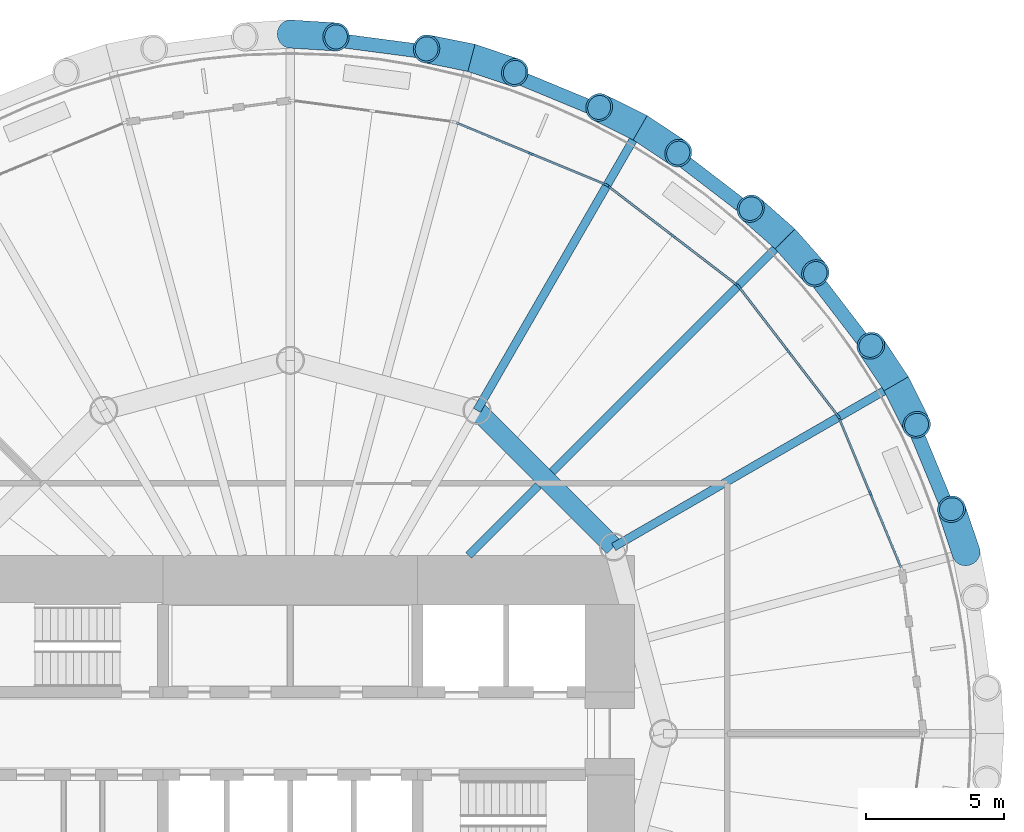
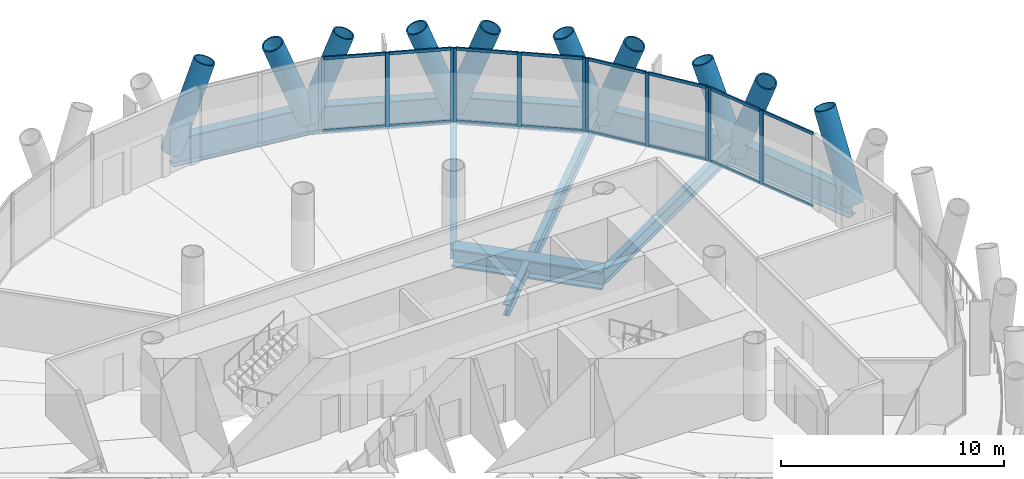
# One storey, part 7 of 15: 36 members, 10 beams, 4 elements without a shape of their own.
"""IFC4 building model written with IfcOpenShell, lengths in metres."""

import ifcopenshell
import ifcopenshell.guid

model = None  # the IFC model being written
_history = None  # IfcOwnerHistory: only IFC2X3 demands one
_inside = {}  # id of a spatial element -> (the spatial element, [elements in it])
_under = {}  # id of a project, library or spatial element -> (it, [spatial elements below it])
_declared = {}  # id of a project -> (the project, [libraries it declares])
_typed = {}  # id of a type object -> (the type object, [elements of that type])
_made_of = {}  # id of a material, layer set ... -> (it, [elements and type objects made of it])


def new_model(schema):
    """Start an empty IFC model of exactly this schema.

    Asked for "IFC4X3", IfcOpenShell would pick the latest addendum, in which some entities
    have other attributes; the version numbers below select the first issue.
    IFC2X3 requires an IfcOwnerHistory on every rooted entity: one is made here for all.
    """
    global model, _history
    if schema == "IFC4X3":
        model = ifcopenshell.file(schema_version=(4, 3, 0, 0))
    else:
        model = ifcopenshell.file(schema=schema)
    _inside.clear()
    _under.clear()
    _declared.clear()
    _typed.clear()
    _made_of.clear()
    _history = None
    if model.schema == "IFC2X3":
        org = make("IfcOrganization", Name="unknown")
        user = make(
            "IfcPersonAndOrganization",
            ThePerson=make("IfcPerson", FamilyName="unknown"),
            TheOrganization=org,
        )
        app = make(
            "IfcApplication",
            ApplicationDeveloper=org,
            Version="unknown",
            ApplicationFullName="unknown",
            ApplicationIdentifier="unknown",
        )
        _history = make(
            "IfcOwnerHistory",
            OwningUser=user,
            OwningApplication=app,
            ChangeAction="ADDED",
            CreationDate=0,
        )
    return model


def make(cls, **values):
    """One entity of the class cls with the attributes given. An attribute that is None is left unset."""
    return model.create_entity(
        cls, **{name: value for name, value in values.items() if value is not None}
    )


def rooted(cls, **values):
    """An entity with a GlobalId (a new one), such as an element, a storey or a relation."""
    return make(cls, GlobalId=ifcopenshell.guid.new(), OwnerHistory=_history, **values)


def si_unit(unit_type, name, prefix=None):
    """IfcSIUnit, for example si_unit("LENGTHUNIT", "METRE", prefix="MILLI")."""
    return make("IfcSIUnit", UnitType=unit_type, Prefix=prefix, Name=name)


def assignment(units):
    """IfcUnitAssignment: the units of a project."""
    return None if units is None else make("IfcUnitAssignment", Units=units)


def point(xyz):
    """IfcCartesianPoint."""
    return None if xyz is None else make("IfcCartesianPoint", Coordinates=xyz)


def direction(xyz):
    """IfcDirection."""
    return None if xyz is None else make("IfcDirection", DirectionRatios=xyz)


def frame(location, z_axis=None, x_axis=None):
    """IfcAxis2Placement3D, a coordinate frame: its origin and axes. An axis left out is left unset."""
    return make(
        "IfcAxis2Placement3D",
        Location=point(location),
        Axis=direction(z_axis),
        RefDirection=direction(x_axis),
    )


def frame_2d(location, x_axis=None):
    """IfcAxis2Placement2D, a coordinate frame in the plane: its origin and x axis."""
    return make(
        "IfcAxis2Placement2D", Location=point(location), RefDirection=direction(x_axis)
    )


def origin():
    """The frame at (0, 0, 0) with its axes left unset."""
    return frame((0.0, 0.0, 0.0))


def origin_2d():
    """The frame at (0, 0) in the plane with its x axis left unset."""
    return frame_2d((0.0, 0.0))


def place(relative_to, where):
    """IfcLocalPlacement: puts the frame where relative to a parent placement (None: the world)."""
    return make(
        "IfcLocalPlacement", PlacementRelTo=relative_to, RelativePlacement=where
    )


def context(
    kind, dimensions, precision=None, world=None, true_north=None, identifier=None
):
    """IfcGeometricRepresentationContext, for example the 3D "Model" context."""
    return make(
        "IfcGeometricRepresentationContext",
        ContextIdentifier=identifier,
        ContextType=kind,
        CoordinateSpaceDimension=dimensions,
        Precision=precision,
        WorldCoordinateSystem=world,
        TrueNorth=true_north,
    )


def subcontext(parent, identifier, kind, view, scale=None):
    """IfcGeometricRepresentationSubContext, for example "Body" below "Model"."""
    return make(
        "IfcGeometricRepresentationSubContext",
        ContextIdentifier=identifier,
        ContextType=kind,
        ParentContext=parent,
        TargetScale=scale,
        TargetView=view,
    )


def project(units=None, contexts=None):
    """IfcProject with its units and contexts."""
    return rooted(
        "IfcProject",
        Name="project",
        RepresentationContexts=contexts,
        UnitsInContext=assignment(units),
    )


def spatial(cls, under=None, at=None, **own):
    """A site, building, storey or space (cls), placed at a placement, below another one or the project."""
    s = rooted(cls, ObjectPlacement=at, **own)
    if under is not None:
        _under.setdefault(under.id(), (under, []))[1].append(s)
    return s


def profile(cls, at=None, kind="AREA", **sizes):
    """A parametric profile (cls). Its sizes go by their IFC names, for example OverallWidth=200.0."""
    return make(cls, ProfileType=kind, Position=at, **sizes)


def rectangle(**sizes):
    """IfcRectangleProfileDef."""
    return profile("IfcRectangleProfileDef", **sizes)


def hollow_circle(**sizes):
    """IfcCircleHollowProfileDef."""
    return profile("IfcCircleHollowProfileDef", **sizes)


def i_section(**sizes):
    """IfcIShapeProfileDef."""
    return profile("IfcIShapeProfileDef", **sizes)


def extrude(swept, where, along, depth):
    """IfcExtrudedAreaSolid: the profile swept, set in the frame where, extruded along a direction by depth."""
    return make(
        "IfcExtrudedAreaSolid",
        SweptArea=swept,
        Position=where,
        ExtrudedDirection=direction(along),
        Depth=depth,
    )


def shape(context_of_items, identifier, shape_type, items):
    """IfcShapeRepresentation: the items that make up one representation, for example the "Body"."""
    return make(
        "IfcShapeRepresentation",
        ContextOfItems=context_of_items,
        RepresentationIdentifier=identifier,
        RepresentationType=shape_type,
        Items=items,
    )


def material(Name=None, Category=None):
    """IfcMaterial."""
    return make("IfcMaterial", Name=Name, Category=Category)


def material_profile(
    of_material, cross_section, Name=None, Category=None, Priority=None
):
    """IfcMaterialProfile: a cross section and its material."""
    return make(
        "IfcMaterialProfile",
        Name=Name,
        Material=of_material,
        Profile=cross_section,
        Priority=Priority,
        Category=Category,
    )


def profile_set(profiles, Name=None, composite=None):
    """IfcMaterialProfileSet."""
    return make(
        "IfcMaterialProfileSet",
        Name=Name,
        MaterialProfiles=profiles,
        CompositeProfile=composite,
    )


def made_of(thing, what):
    """Note that an element or type object is made of a material, layer set ...; save() writes the relation."""
    if what is not None:
        _made_of.setdefault(what.id(), (what, []))[1].append(thing)
    return thing


def type_object(cls, material=None, **own):
    """A type object (cls), such as IfcWallType, which elements share."""
    return made_of(rooted(cls, **own), material)


def element(
    cls,
    number,
    at=None,
    inside=None,
    cuts=None,
    type_object=None,
    material=None,
    context=None,
    identifier="Body",
    shape_type=None,
    held_by="IfcProductDefinitionShape",
    body=None,
    shapes=None,
    **own,
):
    """One element of the class cls, such as IfcWall. Its Tag is "e" and its number.

    at: its placement. inside: the storey or other place that contains it. cuts: it is an
    opening in that element (IfcRelVoidsElement). A single representation is given by context,
    identifier, shape_type and body (its items); several are given by shapes. held_by: the class
    of the entity that holds the representations. save() writes the other relations.
    """
    e = rooted(cls, Tag="e%d" % number, ObjectPlacement=at, **own)
    if body is not None:
        shapes = [shape(context, identifier, shape_type, body)]
    if shapes is not None:
        e.Representation = make(held_by, Representations=shapes)
    if inside is not None:
        _inside.setdefault(inside.id(), (inside, []))[1].append(e)
    if cuts is not None:
        rooted(
            "IfcRelVoidsElement", RelatingBuildingElement=cuts, RelatedOpeningElement=e
        )
    if type_object is not None:
        _typed.setdefault(type_object.id(), (type_object, []))[1].append(e)
    return made_of(e, material)


def aggregate(whole, parts):
    """IfcRelAggregates: a whole, such as a stair, and the parts it consists of."""
    return rooted("IfcRelAggregates", RelatingObject=whole, RelatedObjects=parts)


def save(model, path):
    """Write the relations noted so far, then the file.

    IfcRelAggregates (storeys below a building ...), IfcRelContainedInSpatialStructure (elements
    in a storey), IfcRelDefinesByType, IfcRelAssociatesMaterial and IfcRelDeclares: one each for
    every whole, place, type object, material and project.
    """
    for whole, parts in _under.values():
        aggregate(whole, parts)
    for where, things in _inside.values():
        rooted(
            "IfcRelContainedInSpatialStructure",
            RelatedElements=things,
            RelatingStructure=where,
        )
    for kind, things in _typed.values():
        rooted("IfcRelDefinesByType", RelatedObjects=things, RelatingType=kind)
    for what, things in _made_of.values():
        rooted("IfcRelAssociatesMaterial", RelatedObjects=things, RelatingMaterial=what)
    for by, libraries in _declared.values():
        rooted("IfcRelDeclares", RelatingContext=by, RelatedDefinitions=libraries)
    model.write(path)


model = new_model("IFC4")

# Units and contexts
model_context = context("Model", 3, precision=1e-05, world=origin(), true_north=direction((0.0, 1.0)))
body_context = subcontext(model_context, "Body", "Model", "MODEL_VIEW")
ifc_project = project(units=[si_unit("LENGTHUNIT", "METRE"), si_unit("AREAUNIT", "SQUARE_METRE"), si_unit("VOLUMEUNIT", "CUBIC_METRE"), si_unit("PLANEANGLEUNIT", "RADIAN"), si_unit("MASSUNIT", "GRAM", prefix="KILO")], contexts=[model_context])

# Site, building, storey
site_placement = place(None, origin())
site = spatial("IfcSite", under=ifc_project, at=site_placement, CompositionType="ELEMENT")
building_placement = place(site_placement, origin())
building = spatial("IfcBuilding", under=site, at=building_placement, Name="Qaws Media Tower", CompositionType="ELEMENT")
storey_placement = place(building_placement, frame((0.0, 0.0, 110.0)))
storey = spatial("IfcBuildingStorey", under=building, at=storey_placement, Name="L24", CompositionType="ELEMENT", Elevation=110.0)

# Curtain wall, members
ifc_material_1 = material(Name="Aluminium and clear glass", Category="aluminium")
curtain_wall_type = type_object("IfcCurtainWallType", Name="Unitised curtain wall CW-B", PredefinedType="NOTDEFINED", material=ifc_material_1)
curtain_wall_1_placement = place(storey_placement, origin())
curtain_wall_1 = element("IfcCurtainWall", 1, at=curtain_wall_1_placement, inside=storey, type_object=curtain_wall_type, Name="CWB curtain wall L24-02", PredefinedType="NOTDEFINED")
ifc_material_2 = material(Name="Aluminium mullion", Category="aluminium")
ifc_material_profile_1 = material_profile(ifc_material_2, rectangle(XDim=0.080078125, YDim=0.199951171875, at=origin_2d()), Name="80x200")
ifc_profile_set_1 = profile_set([ifc_material_profile_1], Name="Aluminium mullion")
member_type_1 = type_object("IfcMemberType", Name="Curtain wall mullion 80x200", PredefinedType="MULLION", material=ifc_profile_set_1)
member_1_placement = place(storey_placement, frame((80.975830078125, 58.6884765625, 0.0), z_axis=(0.0, 0.0, 1.0), x_axis=(-0.923879575705, -0.382683328086, 0.0)))
member_1 = element("IfcMember", 2, at=member_1_placement, type_object=member_type_1, Name="CWB mullion 2", PredefinedType="MULLION", context=body_context, shape_type="SweptSolid", body=[
    extrude(rectangle(XDim=0.080078125, YDim=0.199951171875, at=origin_2d()), origin(), (0.0, 0.0, 1.0), 4.0400390625),
])
member_2_placement = place(storey_placement, frame((79.84716796875, 61.4130859375, 0.0), z_axis=(0.0, 0.0, 1.0), x_axis=(-0.923879575705, -0.382683328086, 0.0)))
member_2 = element("IfcMember", 3, at=member_2_placement, type_object=member_type_1, Name="CWB mullion 3", PredefinedType="MULLION", context=body_context, shape_type="SweptSolid", body=[
    extrude(rectangle(XDim=0.080078125, YDim=0.199951171875, at=origin_2d()), origin(), (0.0, 0.0, 1.0), 4.0400390625),
])

curtain_wall_2_placement = place(storey_placement, origin())
curtain_wall_2 = element("IfcCurtainWall", 4, at=curtain_wall_2_placement, inside=storey, type_object=curtain_wall_type, Name="CWB curtain wall L24-03", PredefinedType="NOTDEFINED")
member_3_placement = place(storey_placement, frame((79.8076171875, 61.481689453125, 0.0), z_axis=(0.0, 0.0, 1.0), x_axis=(-0.793353278539, -0.608761509485, 0.0)))
member_3 = element("IfcMember", 5, at=member_3_placement, type_object=member_type_1, Name="CWB mullion 1", PredefinedType="MULLION", context=body_context, shape_type="SweptSolid", body=[
    extrude(rectangle(XDim=0.080078125, YDim=0.199951171875, at=origin_2d()), origin(), (0.0, 0.0, 1.0), 4.0400390625),
])
member_4_placement = place(storey_placement, frame((78.012451171875, 63.8212890625, 0.0), z_axis=(0.0, 0.0, 1.0), x_axis=(-0.793353278539, -0.608761509485, 0.0)))
member_4 = element("IfcMember", 6, at=member_4_placement, type_object=member_type_1, Name="CWB mullion 2", PredefinedType="MULLION", context=body_context, shape_type="SweptSolid", body=[
    extrude(rectangle(XDim=0.080078125, YDim=0.199951171875, at=origin_2d()), origin(), (0.0, 0.0, 1.0), 4.0400390625),
])
member_5_placement = place(storey_placement, frame((76.217041015625, 66.1611328125, 0.0), z_axis=(0.0, 0.0, 1.0), x_axis=(-0.793353278539, -0.608761509485, 0.0)))
member_5 = element("IfcMember", 7, at=member_5_placement, type_object=member_type_1, Name="CWB mullion 3", PredefinedType="MULLION", context=body_context, shape_type="SweptSolid", body=[
    extrude(rectangle(XDim=0.080078125, YDim=0.199951171875, at=origin_2d()), origin(), (0.0, 0.0, 1.0), 4.0400390625),
])

curtain_wall_3_placement = place(storey_placement, origin())
curtain_wall_3 = element("IfcCurtainWall", 8, at=curtain_wall_3_placement, inside=storey, type_object=curtain_wall_type, Name="CWB curtain wall L24-04", PredefinedType="NOTDEFINED")
member_6_placement = place(storey_placement, frame((76.1611328125, 66.217041015625, 0.0), z_axis=(0.0, 0.0, 1.0), x_axis=(-0.608761509485, -0.793353278539, 0.0)))
member_6 = element("IfcMember", 9, at=member_6_placement, type_object=member_type_1, Name="CWB mullion 1", PredefinedType="MULLION", context=body_context, shape_type="SweptSolid", body=[
    extrude(rectangle(XDim=0.080078125, YDim=0.199951171875, at=origin_2d()), origin(), (0.0, 0.0, 1.0), 4.0400390625),
])
member_7_placement = place(storey_placement, frame((73.8212890625, 68.012451171875, 0.0), z_axis=(0.0, 0.0, 1.0), x_axis=(-0.608761509485, -0.793353278539, 0.0)))
member_7 = element("IfcMember", 10, at=member_7_placement, type_object=member_type_1, Name="CWB mullion 2", PredefinedType="MULLION", context=body_context, shape_type="SweptSolid", body=[
    extrude(rectangle(XDim=0.080078125, YDim=0.199951171875, at=origin_2d()), origin(), (0.0, 0.0, 1.0), 4.0400390625),
])
member_8_placement = place(storey_placement, frame((71.481689453125, 69.8076171875, 0.0), z_axis=(0.0, 0.0, 1.0), x_axis=(-0.608761509485, -0.793353278539, 0.0)))
member_8 = element("IfcMember", 11, at=member_8_placement, type_object=member_type_1, Name="CWB mullion 3", PredefinedType="MULLION", context=body_context, shape_type="SweptSolid", body=[
    extrude(rectangle(XDim=0.080078125, YDim=0.199951171875, at=origin_2d()), origin(), (0.0, 0.0, 1.0), 4.0400390625),
])

curtain_wall_4_placement = place(storey_placement, origin())
curtain_wall_4 = element("IfcCurtainWall", 12, at=curtain_wall_4_placement, inside=storey, type_object=curtain_wall_type, Name="CWB curtain wall L24-05", PredefinedType="NOTDEFINED")
member_9_placement = place(storey_placement, frame((71.4130859375, 69.84716796875, 0.0), z_axis=(0.0, 0.0, 1.0), x_axis=(-0.382683328086, -0.923879575705, 0.0)))
member_9 = element("IfcMember", 13, at=member_9_placement, type_object=member_type_1, Name="CWB mullion 1", PredefinedType="MULLION", context=body_context, shape_type="SweptSolid", body=[
    extrude(rectangle(XDim=0.080078125, YDim=0.199951171875, at=origin_2d()), origin(), (0.0, 0.0, 1.0), 4.0400390625),
])
member_10_placement = place(storey_placement, frame((68.6884765625, 70.975830078125, 0.0), z_axis=(0.0, 0.0, 1.0), x_axis=(-0.382683328086, -0.923879575705, 0.0)))
member_10 = element("IfcMember", 14, at=member_10_placement, type_object=member_type_1, Name="CWB mullion 2", PredefinedType="MULLION", context=body_context, shape_type="SweptSolid", body=[
    extrude(rectangle(XDim=0.080078125, YDim=0.199951171875, at=origin_2d()), origin(), (0.0, 0.0, 1.0), 4.0400390625),
])

# Member
ifc_material_3 = material(Name="Aluminium transom", Category="aluminium")
ifc_material_profile_2 = material_profile(ifc_material_3, rectangle(XDim=0.080078125, YDim=0.159912109375, at=origin_2d()), Name="80x160")
ifc_profile_set_2 = profile_set([ifc_material_profile_2], Name="Aluminium transom")
member_type_2 = type_object("IfcMemberType", Name="Curtain wall transom 80x160", PredefinedType="USERDEFINED", material=ifc_profile_set_2)
member_11_placement = place(storey_placement, frame((82.089111328125, 56.0009765625, 0.0400390625), z_axis=(-0.382674959875, 0.923883041886, 0.0), x_axis=(-0.923883041886, -0.382674959875, 0.0)))
member_11 = element("IfcMember", 15, at=member_11_placement, type_object=member_type_2, Name="CWB transom 1.1", ObjectType="TRANSOM", PredefinedType="USERDEFINED", context=body_context, shape_type="SweptSolid", body=[
    extrude(rectangle(XDim=0.080078125, YDim=0.159912109375, at=origin_2d()), origin(), (0.0, 0.0, 1.0), 2.868896484375),
])

member_12_placement = place(storey_placement, frame((82.089111328125, 56.0009765625, 4.0), z_axis=(-0.382674959875, 0.923883041886, 0.0), x_axis=(-0.923883041886, -0.382674959875, 0.0)))
member_12 = element("IfcMember", 16, at=member_12_placement, type_object=member_type_2, Name="CWB transom 1.2", ObjectType="TRANSOM", PredefinedType="USERDEFINED", context=body_context, shape_type="SweptSolid", body=[
    extrude(rectangle(XDim=0.080078125, YDim=0.159912109375, at=origin_2d()), origin(), (0.0, 0.0, 1.0), 2.868896484375),
])

member_13_placement = place(storey_placement, frame((80.96044921875, 58.725341796875, 0.0400390625), z_axis=(-0.382674959875, 0.923883041886, 0.0), x_axis=(-0.923883041886, -0.382674959875, 0.0)))
member_13 = element("IfcMember", 17, at=member_13_placement, type_object=member_type_2, Name="CWB transom 2.1", ObjectType="TRANSOM", PredefinedType="USERDEFINED", context=body_context, shape_type="SweptSolid", body=[
    extrude(rectangle(XDim=0.080078125, YDim=0.159912109375, at=origin_2d()), origin(), (0.0, 0.0, 1.0), 2.868896484375),
])

member_14_placement = place(storey_placement, frame((80.96044921875, 58.725341796875, 4.0), z_axis=(-0.382674959875, 0.923883041886, 0.0), x_axis=(-0.923883041886, -0.382674959875, 0.0)))
member_14 = element("IfcMember", 18, at=member_14_placement, type_object=member_type_2, Name="CWB transom 2.2", ObjectType="TRANSOM", PredefinedType="USERDEFINED", context=body_context, shape_type="SweptSolid", body=[
    extrude(rectangle(XDim=0.080078125, YDim=0.159912109375, at=origin_2d()), origin(), (0.0, 0.0, 1.0), 2.868896484375),
])

aggregate(curtain_wall_1, [member_1, member_2, member_11, member_12, member_13, member_14])

member_15_placement = place(storey_placement, frame((79.783203125, 61.513427734375, 0.0400390625), z_axis=(-0.608772702822, 0.793344689462, 0.0), x_axis=(-0.793344689462, -0.608772702822, 0.0)))
member_15 = element("IfcMember", 19, at=member_15_placement, type_object=member_type_2, Name="CWB transom 1.1", ObjectType="TRANSOM", PredefinedType="USERDEFINED", context=body_context, shape_type="SweptSolid", body=[
    extrude(rectangle(XDim=0.080078125, YDim=0.159912109375, at=origin_2d()), origin(), (0.0, 0.0, 1.0), 2.869140625),
])

member_16_placement = place(storey_placement, frame((79.783203125, 61.513427734375, 4.0), z_axis=(-0.608772702822, 0.793344689462, 0.0), x_axis=(-0.793344689462, -0.608772702822, 0.0)))
member_16 = element("IfcMember", 20, at=member_16_placement, type_object=member_type_2, Name="CWB transom 1.2", ObjectType="TRANSOM", PredefinedType="USERDEFINED", context=body_context, shape_type="SweptSolid", body=[
    extrude(rectangle(XDim=0.080078125, YDim=0.159912109375, at=origin_2d()), origin(), (0.0, 0.0, 1.0), 2.869140625),
])

member_17_placement = place(storey_placement, frame((77.988037109375, 63.85302734375, 0.0400390625), z_axis=(-0.608731606531, 0.793376222993, 0.0), x_axis=(-0.793376222993, -0.608731606531, 0.0)))
member_17 = element("IfcMember", 21, at=member_17_placement, type_object=member_type_2, Name="CWB transom 2.1", ObjectType="TRANSOM", PredefinedType="USERDEFINED", context=body_context, shape_type="SweptSolid", body=[
    extrude(rectangle(XDim=0.080078125, YDim=0.159912109375, at=origin_2d()), origin(), (0.0, 0.0, 1.0), 2.869140625),
])

member_18_placement = place(storey_placement, frame((77.988037109375, 63.85302734375, 4.0), z_axis=(-0.608731606531, 0.793376222993, 0.0), x_axis=(-0.793376222993, -0.608731606531, 0.0)))
member_18 = element("IfcMember", 22, at=member_18_placement, type_object=member_type_2, Name="CWB transom 2.2", ObjectType="TRANSOM", PredefinedType="USERDEFINED", context=body_context, shape_type="SweptSolid", body=[
    extrude(rectangle(XDim=0.080078125, YDim=0.159912109375, at=origin_2d()), origin(), (0.0, 0.0, 1.0), 2.869140625),
])

aggregate(curtain_wall_2, [member_3, member_4, member_5, member_15, member_16, member_17, member_18])

member_19_placement = place(storey_placement, frame((76.12939453125, 66.241455078125, 0.0400390625), z_axis=(-0.793376222993, 0.608731606531, 0.0), x_axis=(-0.608731606531, -0.793376222993, 0.0)))
member_19 = element("IfcMember", 23, at=member_19_placement, type_object=member_type_2, Name="CWB transom 1.1", ObjectType="TRANSOM", PredefinedType="USERDEFINED", context=body_context, shape_type="SweptSolid", body=[
    extrude(rectangle(XDim=0.080078125, YDim=0.159912109375, at=origin_2d()), origin(), (0.0, 0.0, 1.0), 2.869140625),
])

member_20_placement = place(storey_placement, frame((76.12939453125, 66.241455078125, 4.0), z_axis=(-0.793376222993, 0.608731606531, 0.0), x_axis=(-0.608731606531, -0.793376222993, 0.0)))
member_20 = element("IfcMember", 24, at=member_20_placement, type_object=member_type_2, Name="CWB transom 1.2", ObjectType="TRANSOM", PredefinedType="USERDEFINED", context=body_context, shape_type="SweptSolid", body=[
    extrude(rectangle(XDim=0.080078125, YDim=0.159912109375, at=origin_2d()), origin(), (0.0, 0.0, 1.0), 2.869140625),
])

member_21_placement = place(storey_placement, frame((73.78955078125, 68.03662109375, 0.0400390625), z_axis=(-0.793344689462, 0.608772702822, 0.0), x_axis=(-0.608772702822, -0.793344689462, 0.0)))
member_21 = element("IfcMember", 25, at=member_21_placement, type_object=member_type_2, Name="CWB transom 2.1", ObjectType="TRANSOM", PredefinedType="USERDEFINED", context=body_context, shape_type="SweptSolid", body=[
    extrude(rectangle(XDim=0.080078125, YDim=0.159912109375, at=origin_2d()), origin(), (0.0, 0.0, 1.0), 2.869140625),
])

member_22_placement = place(storey_placement, frame((73.78955078125, 68.03662109375, 4.0), z_axis=(-0.793344689462, 0.608772702822, 0.0), x_axis=(-0.608772702822, -0.793344689462, 0.0)))
member_22 = element("IfcMember", 26, at=member_22_placement, type_object=member_type_2, Name="CWB transom 2.2", ObjectType="TRANSOM", PredefinedType="USERDEFINED", context=body_context, shape_type="SweptSolid", body=[
    extrude(rectangle(XDim=0.080078125, YDim=0.159912109375, at=origin_2d()), origin(), (0.0, 0.0, 1.0), 2.869140625),
])

aggregate(curtain_wall_3, [member_6, member_7, member_8, member_19, member_20, member_21, member_22])

member_23_placement = place(storey_placement, frame((71.3759765625, 69.862548828125, 0.0400390625), z_axis=(-0.923883041886, 0.382674959875, 0.0), x_axis=(-0.382674959875, -0.923883041886, 0.0)))
member_23 = element("IfcMember", 27, at=member_23_placement, type_object=member_type_2, Name="CWB transom 1.1", ObjectType="TRANSOM", PredefinedType="USERDEFINED", context=body_context, shape_type="SweptSolid", body=[
    extrude(rectangle(XDim=0.080078125, YDim=0.159912109375, at=origin_2d()), origin(), (0.0, 0.0, 1.0), 2.868896484375),
])

member_24_placement = place(storey_placement, frame((71.3759765625, 69.862548828125, 4.0), z_axis=(-0.923883041886, 0.382674959875, 0.0), x_axis=(-0.382674959875, -0.923883041886, 0.0)))
member_24 = element("IfcMember", 28, at=member_24_placement, type_object=member_type_2, Name="CWB transom 1.2", ObjectType="TRANSOM", PredefinedType="USERDEFINED", context=body_context, shape_type="SweptSolid", body=[
    extrude(rectangle(XDim=0.080078125, YDim=0.159912109375, at=origin_2d()), origin(), (0.0, 0.0, 1.0), 2.868896484375),
])

member_25_placement = place(storey_placement, frame((68.651611328125, 70.9912109375, 0.0400390625), z_axis=(-0.923883041886, 0.382674959875, 0.0), x_axis=(-0.382674959875, -0.923883041886, 0.0)))
member_25 = element("IfcMember", 29, at=member_25_placement, type_object=member_type_2, Name="CWB transom 2.1", ObjectType="TRANSOM", PredefinedType="USERDEFINED", context=body_context, shape_type="SweptSolid", body=[
    extrude(rectangle(XDim=0.080078125, YDim=0.159912109375, at=origin_2d()), origin(), (0.0, 0.0, 1.0), 2.868896484375),
])

member_26_placement = place(storey_placement, frame((68.651611328125, 70.9912109375, 4.0), z_axis=(-0.923883041886, 0.382674959875, 0.0), x_axis=(-0.382674959875, -0.923883041886, 0.0)))
member_26 = element("IfcMember", 30, at=member_26_placement, type_object=member_type_2, Name="CWB transom 2.2", ObjectType="TRANSOM", PredefinedType="USERDEFINED", context=body_context, shape_type="SweptSolid", body=[
    extrude(rectangle(XDim=0.080078125, YDim=0.159912109375, at=origin_2d()), origin(), (0.0, 0.0, 1.0), 2.868896484375),
])

aggregate(curtain_wall_4, [member_9, member_10, member_23, member_24, member_25, member_26])

# Members
ifc_material_4 = material(Name="Steel S460", Category="steel")
ifc_material_profile_3 = material_profile(ifc_material_4, hollow_circle(Radius=0.508056640625, WallThickness=0.070068359375, at=origin_2d()), Name="CHS 1016x70")
ifc_profile_set_3 = profile_set([ifc_material_profile_3], Name="Steel S460")
member_type_3 = type_object("IfcMemberType", Name="Diagrid member CHS 1016x70", PredefinedType="USERDEFINED", material=ifc_profile_set_3)
member_27_placement = place(storey_placement, frame((84.43798828125, 56.548095703125, -0.909912109375), z_axis=(-0.111318930759, 0.330611563198, 0.937178792939), x_axis=(-0.947720004094, -0.319103108477, 0.0)))
element("IfcMember", 31, at=member_27_placement, inside=storey, type_object=member_type_3, Name="DG3 diagrid L24 A02", ObjectType="DIAGRID", PredefinedType="USERDEFINED", context=body_context, shape_type="SweptSolid", body=[
    extrude(hollow_circle(Radius=0.508056640625, WallThickness=0.070068359375, at=origin_2d()), origin(), (0.0, 0.0, 1.0), 4.743896484375),
])
for number, where, z_axis, x_axis, name in (
    (32, (81.910400390625, 62.64990234375, -0.909912109375), (-0.193048088589, 0.290524249556, 0.937191600428), (-0.832889209809, -0.553439756598, 0.0), "DG3 diagrid L24 A03"),
    (33, (81.910400390625, 62.64990234375, -0.909912109375), (0.155066520795, -0.312449003566, 0.937192613233), (0.895751161117, 0.4445557978, 0.0), "DG3 diagrid L24 B03"),
    (34, (77.889892578125, 67.889892578125, -0.909912109375), (-0.261703226457, 0.230617926796, 0.937190905367), (-0.661143277259, -0.750259666339, 0.0), "DG3 diagrid L24 A04"),
    (35, (77.889892578125, 67.889892578125, -0.909912109375), (0.230617926796, -0.261703226457, 0.937190905367), (0.750259666339, 0.661143277259, 0.0), "DG3 diagrid L24 B04"),
    (36, (72.64990234375, 71.910400390625, -0.909912109375), (-0.312449003566, 0.155066520795, 0.937192613233), (-0.4445557978, -0.895751161117, 0.0), "DG3 diagrid L24 A05"),
    (37, (72.64990234375, 71.910400390625, -0.909912109375), (0.290524249556, -0.193048088589, 0.937191600428), (0.553439756598, 0.832889209809, 0.0), "DG3 diagrid L24 B05"),
    (38, (66.548095703125, 74.43798828125, -0.909912109375), (-0.341938716978, 0.068912694466, 0.937192058424), (-0.197562999339, -0.980290192388, 0.0), "DG3 diagrid L24 A06"),
):
    element("IfcMember", number, at=place(storey_placement, frame(where, z_axis=z_axis, x_axis=x_axis)), inside=storey, type_object=member_type_3, Name=name, ObjectType="DIAGRID", PredefinedType="USERDEFINED", context=body_context, shape_type="SweptSolid", body=[
        extrude(hollow_circle(Radius=0.508056640625, WallThickness=0.070068359375, at=origin_2d()), origin(), (0.0, 0.0, 1.0), 4.74365234375),
    ])
member_28_placement = place(storey_placement, frame((66.548095703125, 74.43798828125, -0.909912109375), z_axis=(0.330611563198, -0.111318930759, 0.937178792939), x_axis=(0.319103108477, 0.947720004094, 0.0)))
element("IfcMember", 39, at=member_28_placement, inside=storey, type_object=member_type_3, Name="DG3 diagrid L24 B06", ObjectType="DIAGRID", PredefinedType="USERDEFINED", context=body_context, shape_type="SweptSolid", body=[
    extrude(hollow_circle(Radius=0.508056640625, WallThickness=0.070068359375, at=origin_2d()), origin(), (0.0, 0.0, 1.0), 4.743896484375),
])
member_29_placement = place(storey_placement, frame((60.0, 75.300048828125, -0.909912109375), z_axis=(0.348115757593, -0.021924499222, 0.93719514278), x_axis=(0.062855947931, 0.998022609869, 0.0)))
element("IfcMember", 40, at=member_29_placement, inside=storey, type_object=member_type_3, Name="DG3 diagrid L24 B07", ObjectType="DIAGRID", PredefinedType="USERDEFINED", context=body_context, shape_type="SweptSolid", body=[
    extrude(hollow_circle(Radius=0.508056640625, WallThickness=0.070068359375, at=origin_2d()), origin(), (0.0, 0.0, 1.0), 4.74365234375),
])

# Beams
ifc_material_5 = material(Name="Steel S460", Category="steel")
ifc_material_profile_4 = material_profile(ifc_material_5, i_section(OverallWidth=0.5, OverallDepth=1.5, WebThickness=0.02001953125, FlangeThickness=0.0400390625, at=origin_2d()), Name="PG 1500x500")
ifc_profile_set_4 = profile_set([ifc_material_profile_4], Name="Steel S460")
beam_type_1 = type_object("IfcBeamType", Name="Edge ring beam PG 1500x500", PredefinedType="BEAM", material=ifc_profile_set_4)
beam_1_placement = place(storey_placement, frame((84.43798828125, 56.548095703125, -0.909912109375), z_axis=(-0.38270111505, 0.923872207905, 0.0), x_axis=(-0.923872207905, -0.38270111505, 0.0)))
element("IfcBeam", 41, at=beam_1_placement, inside=storey, type_object=beam_type_1, Name="RB4 edge ring beam L24-02", PredefinedType="BEAM", context=body_context, shape_type="SweptSolid", body=[
    extrude(i_section(OverallWidth=0.5, OverallDepth=1.5, WebThickness=0.02001953125, FlangeThickness=0.0400390625, at=origin_2d()), origin(), (0.0, 0.0, 1.0), 6.6044921875),
])
for number, where, z_axis, x_axis, name in (
    (42, (81.910400390625, 62.64990234375, -0.909912109375), (-0.608734925432, 0.793373676497, 0.0), (-0.793373676497, -0.608734925432, 0.0), "RB4 edge ring beam L24-03"),
    (43, (77.889892578125, 67.889892578125, -0.909912109375), (-0.793373676497, 0.608734925432, 0.0), (-0.608734925432, -0.793373676497, 0.0), "RB4 edge ring beam L24-04"),
):
    element("IfcBeam", number, at=place(storey_placement, frame(where, z_axis=z_axis, x_axis=x_axis)), inside=storey, type_object=beam_type_1, Name=name, PredefinedType="BEAM", context=body_context, shape_type="SweptSolid", body=[
        extrude(i_section(OverallWidth=0.5, OverallDepth=1.5, WebThickness=0.02001953125, FlangeThickness=0.0400390625, at=origin_2d()), origin(), (0.0, 0.0, 1.0), 6.604736328125),
    ])
for number, where, z_axis, x_axis, name in (
    (44, (72.64990234375, 71.910400390625, -0.909912109375), (-0.923872207905, 0.38270111505, 0.0), (-0.38270111505, -0.923872207905, 0.0), "RB4 edge ring beam L24-05"),
    (45, (66.548095703125, 74.43798828125, -0.909912109375), (-0.991445108389, 0.130524315936, 0.0), (-0.130524315936, -0.991445108389, 0.0), "RB4 edge ring beam L24-06"),
):
    element("IfcBeam", number, at=place(storey_placement, frame(where, z_axis=z_axis, x_axis=x_axis)), inside=storey, type_object=beam_type_1, Name=name, PredefinedType="BEAM", context=body_context, shape_type="SweptSolid", body=[
        extrude(i_section(OverallWidth=0.5, OverallDepth=1.5, WebThickness=0.02001953125, FlangeThickness=0.0400390625, at=origin_2d()), origin(), (0.0, 0.0, 1.0), 6.6044921875),
    ])
ifc_material_6 = material(Name="Steel S460", Category="steel")
ifc_material_profile_5 = material_profile(ifc_material_6, i_section(OverallWidth=0.699951171875, OverallDepth=1.0, WebThickness=0.034912109375, FlangeThickness=0.090087890625, at=origin_2d()), Name="PG 1000x700")
ifc_profile_set_5 = profile_set([ifc_material_profile_5], Name="Steel S460")
beam_type_2 = type_object("IfcBeamType", Name="Inner ring girder PG 1000x700", PredefinedType="BEAM", material=ifc_profile_set_5)
beam_2_placement = place(storey_placement, frame((71.69140625, 56.75, -0.659912109375), z_axis=(-0.707106781187, 0.707106781187, 0.0), x_axis=(-0.707106781187, -0.707106781187, 0.0)))
element("IfcBeam", 46, at=beam_2_placement, inside=storey, type_object=beam_type_2, Name="B3 inner ring beam L24 I02-I03", PredefinedType="BEAM", context=body_context, shape_type="SweptSolid", body=[
    extrude(i_section(OverallWidth=0.699951171875, OverallDepth=1.0, WebThickness=0.034912109375, FlangeThickness=0.090087890625, at=origin_2d()), origin(), (0.0, 0.0, 1.0), 6.98828125),
])
ifc_material_7 = material(Name="Steel S355", Category="steel")
ifc_material_profile_6 = material_profile(ifc_material_7, i_section(OverallWidth=0.304931640625, OverallDepth=0.6201171875, WebThickness=0.02099609375, FlangeThickness=0.0400390625, FilletRadius=0.027099609375, at=origin_2d()), Name="HE 600 M")
ifc_profile_set_6 = profile_set([ifc_material_profile_6], Name="Steel S355")
beam_type_3 = type_object("IfcBeamType", Name="Radial beam HE 600 M, core side", PredefinedType="BEAM", material=ifc_profile_set_6)
beam_3_placement = place(storey_placement, frame((66.449951171875, 56.449951171875, -0.469970703125), z_axis=(0.707106781187, 0.707106781187, 0.0), x_axis=(-0.707106781187, 0.707106781187, 0.0)))
element("IfcBeam", 47, at=beam_3_placement, inside=storey, type_object=beam_type_3, Name="B2 radial beam L24 04", PredefinedType="BEAM", context=body_context, shape_type="SweptSolid", body=[
    extrude(i_section(OverallWidth=0.304931640625, OverallDepth=0.6201171875, WebThickness=0.02099609375, FlangeThickness=0.0400390625, FilletRadius=0.027099609375, at=origin_2d()), origin(), (0.0, 0.0, 1.0), 3.568359375),
])
ifc_material_8 = material(Name="Steel S355", Category="steel")
ifc_material_profile_7 = material_profile(ifc_material_8, i_section(OverallWidth=0.300048828125, OverallDepth=0.800048828125, WebThickness=0.017578125, FlangeThickness=0.032958984375, FilletRadius=0.030029296875, at=origin_2d()), Name="HE 800 B")
ifc_profile_set_7 = profile_set([ifc_material_profile_7], Name="Steel S355")
beam_type_4 = type_object("IfcBeamType", Name="Radial beam HE 800 B", PredefinedType="BEAM", material=ifc_profile_set_7)
beam_4_placement = place(storey_placement, frame((71.69140625, 56.75, -0.56005859375), z_axis=(0.866026749593, 0.499997668984, 0.0), x_axis=(-0.499997668984, 0.866026749593, 0.0)))
element("IfcBeam", 48, at=beam_4_placement, inside=storey, type_object=beam_type_4, Name="B1 radial beam L24 03", PredefinedType="BEAM", context=body_context, shape_type="SweptSolid", body=[
    extrude(i_section(OverallWidth=0.300048828125, OverallDepth=0.800048828125, WebThickness=0.017578125, FlangeThickness=0.032958984375, FilletRadius=0.030029296875, at=origin_2d()), origin(), (0.0, 0.0, 1.0), 11.7998046875),
])
beam_5_placement = place(storey_placement, frame((69.46826171875, 59.46826171875, -0.56005859375), z_axis=(0.707106781187, 0.707106781187, 0.0), x_axis=(-0.707106781187, 0.707106781187, 0.0)))
element("IfcBeam", 49, at=beam_5_placement, inside=storey, type_object=beam_type_4, Name="B1 radial beam L24 04", PredefinedType="BEAM", context=body_context, shape_type="SweptSolid", body=[
    extrude(i_section(OverallWidth=0.300048828125, OverallDepth=0.800048828125, WebThickness=0.017578125, FlangeThickness=0.032958984375, FilletRadius=0.030029296875, at=origin_2d()), origin(), (0.0, 0.0, 1.0), 11.909912109375),
])
beam_6_placement = place(storey_placement, frame((66.75, 61.69140625, -0.56005859375), z_axis=(0.499997668984, 0.866026749593, 0.0), x_axis=(-0.866026749593, 0.499997668984, 0.0)))
element("IfcBeam", 50, at=beam_6_placement, inside=storey, type_object=beam_type_4, Name="B1 radial beam L24 05", PredefinedType="BEAM", context=body_context, shape_type="SweptSolid", body=[
    extrude(i_section(OverallWidth=0.300048828125, OverallDepth=0.800048828125, WebThickness=0.017578125, FlangeThickness=0.032958984375, FilletRadius=0.030029296875, at=origin_2d()), origin(), (0.0, 0.0, 1.0), 11.7998046875),
])

save(model, "model.ifc")
